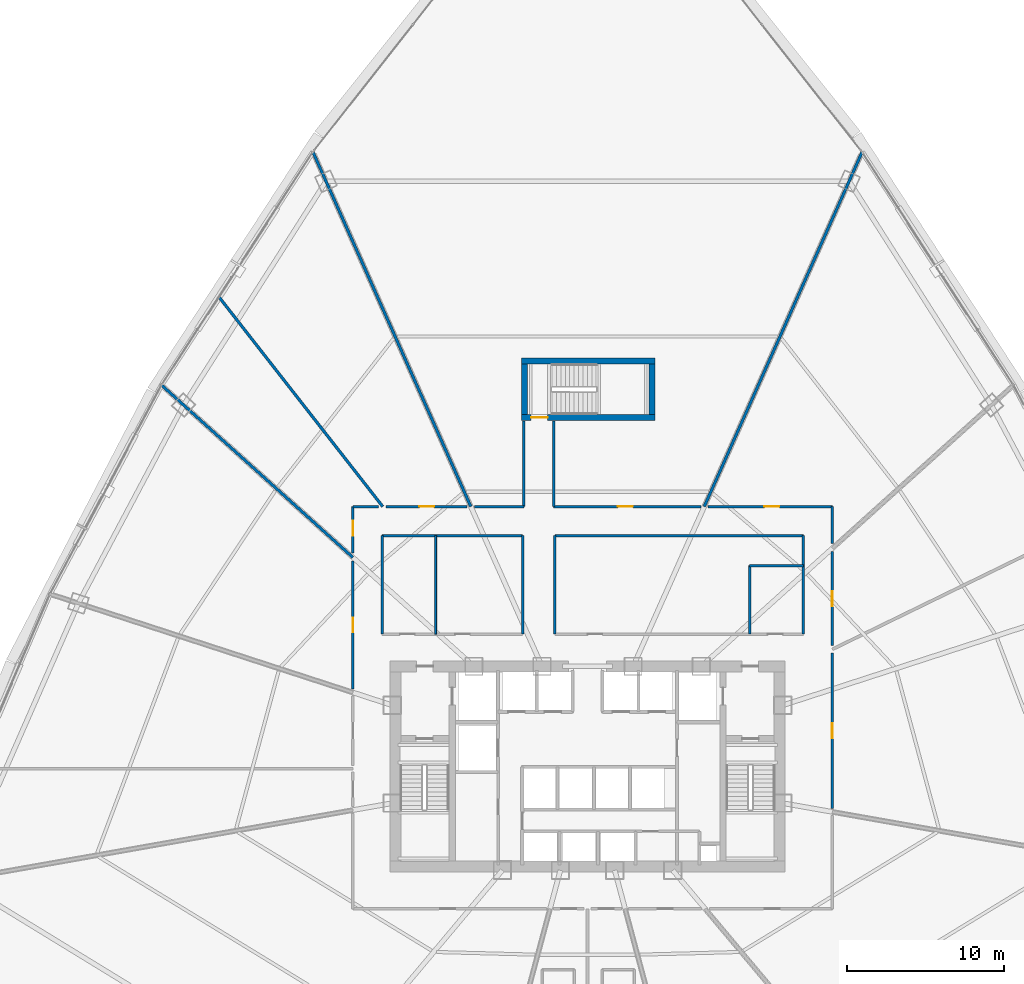
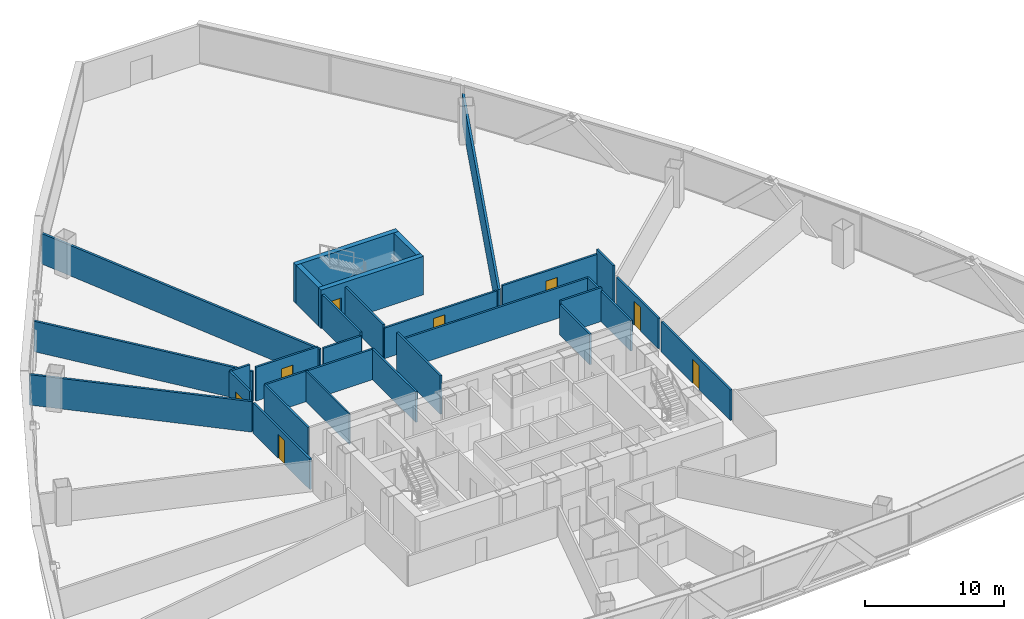
# One storey, part 32 of 38: 29 walls, 8 doors, 8 openings.
"""IFC4 building model written with IfcOpenShell, lengths in metres."""

from ifc_helpers import new_model, si_unit, direction, frame, frame_2d, origin, origin_with_axes, place, context, subcontext, project, spatial, rectangle, extrude, source, transform, mapped, material, layer, layer_set, type_object, element, fill, save


model = new_model("IFC4")

# Units and contexts
model_context = context("Model", 3, precision=1e-05, world=origin(), true_north=direction((0.0, 1.0)))
body_context = subcontext(model_context, "Body", "Model", "MODEL_VIEW")
ifc_project = project(units=[si_unit("LENGTHUNIT", "METRE"), si_unit("AREAUNIT", "SQUARE_METRE"), si_unit("VOLUMEUNIT", "CUBIC_METRE"), si_unit("PLANEANGLEUNIT", "RADIAN"), si_unit("MASSUNIT", "GRAM", prefix="KILO"), si_unit("THERMODYNAMICTEMPERATUREUNIT", "KELVIN"), si_unit("POWERUNIT", "WATT")], contexts=[model_context])

# Site, building, storey
site_placement = place(None, origin())
site = spatial("IfcSite", under=ifc_project, at=site_placement, CompositionType="ELEMENT")
building_placement = place(site_placement, origin())
building = spatial("IfcBuilding", under=site, at=building_placement, Name="Yunzhuo Pagoda Commons", CompositionType="ELEMENT")
storey_placement = place(building_placement, frame((0.0, 0.0, 37.659912109375)))
storey = spatial("IfcBuildingStorey", under=building, at=storey_placement, Name="L09", CompositionType="ELEMENT", Elevation=37.659912109375)

# Walls
ifc_material_1 = material(Name="Gypsum plasterboard on acoustic stud")
ifc_layer_1 = layer(ifc_material_1, 0.159912109375)
ifc_layer_set_1 = layer_set([ifc_layer_1], Name="Gypsum plasterboard on acoustic stud")
wall_type_1 = type_object("IfcWallType", Name="W-COR1 Tower Rated Corridor Wall 160", PredefinedType="PARTITIONING", material=ifc_layer_set_1)
wall_1_placement = place(storey_placement, frame((34.949951171875, 48.5, 0.0), z_axis=(0.0, 0.0, 1.0), x_axis=(1.0, 0.0, 0.0)))
element("IfcWall", 1, at=wall_1_placement, inside=storey, type_object=wall_type_1, Name="L09 interior wall IW-L09-ISLWN", PredefinedType="PARTITIONING", context=body_context, shape_type="SweptSolid", body=[
    extrude(rectangle(XDim=8.929931640625, YDim=0.159912109375, at=frame_2d((4.46484375, 0.0))), origin(), (0.0, 0.0, 1.0), 2.670166015625),
])
for number, where, z_axis, x_axis, name in (
    (2, (34.949951171875, 42.25, 0.0), (0.0, 0.0, 1.0), (0.0, 1.0, 0.0), "L09 interior wall IW-L09-ISLWW"),
    (3, (43.8798828125, 42.25, 0.0), (0.0, 0.0, 1.0), (0.0, 1.0, 0.0), "L09 interior wall IW-L09-ISLWE"),
):
    element("IfcWall", number, at=place(storey_placement, frame(where, z_axis=z_axis, x_axis=x_axis)), inside=storey, type_object=wall_type_1, Name=name, PredefinedType="PARTITIONING", context=body_context, shape_type="SweptSolid", body=[
        extrude(rectangle(XDim=6.25, YDim=0.159912109375, at=frame_2d((3.125, 0.0))), origin(), (0.0, 0.0, 1.0), 2.670166015625),
    ])
wall_2_placement = place(storey_placement, frame((45.919921875, 48.5, 0.0), z_axis=(0.0, 0.0, 1.0), x_axis=(1.0, 0.0, 0.0)))
element("IfcWall", 4, at=wall_2_placement, inside=storey, type_object=wall_type_1, Name="L09 interior wall IW-L09-ISLEN", PredefinedType="PARTITIONING", context=body_context, shape_type="SweptSolid", body=[
    extrude(rectangle(XDim=15.780029296875, YDim=0.159912109375, at=frame_2d((7.89013671875, 0.0))), origin(), (0.0, 0.0, 1.0), 2.670166015625),
])
wall_3_placement = place(storey_placement, frame((45.919921875, 42.25, 0.0), z_axis=(0.0, 0.0, 1.0), x_axis=(0.0, 1.0, 0.0)))
element("IfcWall", 5, at=wall_3_placement, inside=storey, type_object=wall_type_1, Name="L09 interior wall IW-L09-ISLEW", PredefinedType="PARTITIONING", context=body_context, shape_type="SweptSolid", body=[
    extrude(rectangle(XDim=6.25, YDim=0.159912109375, at=frame_2d((3.125, 0.0))), origin(), (0.0, 0.0, 1.0), 3.3701171875),
])
wall_4_placement = place(storey_placement, frame((61.699951171875, 42.25, 0.0), z_axis=(0.0, 0.0, 1.0), x_axis=(0.0, 1.0, 0.0)))
element("IfcWall", 6, at=wall_4_placement, inside=storey, type_object=wall_type_1, Name="L09 interior wall IW-L09-ISLEE", PredefinedType="PARTITIONING", context=body_context, shape_type="SweptSolid", body=[
    extrude(rectangle(XDim=6.25, YDim=0.159912109375, at=frame_2d((3.125, 0.0))), origin(), (0.0, 0.0, 1.0), 2.670166015625),
])
wall_5_placement = place(storey_placement, frame((58.300048828125, 42.25, 0.0), z_axis=(0.0, 0.0, 1.0), x_axis=(0.0, 1.0, 0.0)))
element("IfcWall", 7, at=wall_5_placement, inside=storey, type_object=wall_type_1, Name="L09 interior wall IW-L09-ISL2W", PredefinedType="PARTITIONING", context=body_context, shape_type="SweptSolid", body=[
    extrude(rectangle(XDim=4.35009765625, YDim=0.159912109375, at=frame_2d((2.175048828125, 0.0))), origin(), (0.0, 0.0, 1.0), 2.670166015625),
])
wall_6_placement = place(storey_placement, frame((58.300048828125, 46.60009765625, 0.0), z_axis=(0.0, 0.0, 1.0), x_axis=(1.0, 0.0, 0.0)))
element("IfcWall", 8, at=wall_6_placement, inside=storey, type_object=wall_type_1, Name="L09 interior wall IW-L09-ISL2N", PredefinedType="PARTITIONING", context=body_context, shape_type="SweptSolid", body=[
    extrude(rectangle(XDim=3.39990234375, YDim=0.159912109375, at=frame_2d((1.699951171875, 0.0))), origin(), (0.0, 0.0, 1.0), 2.969970703125),
])

# Wall, opening, door
wall_7_placement = place(storey_placement, frame((33.10009765625, 38.772705078125, 0.0), z_axis=(0.0, 0.0, 1.0), x_axis=(0.0, 1.0, 0.0)))
wall_7 = element("IfcWall", 9, at=wall_7_placement, inside=storey, type_object=wall_type_1, Name="L09 interior wall IW-L09-CWL04", PredefinedType="PARTITIONING", context=body_context, shape_type="SweptSolid", body=[
    extrude(rectangle(XDim=8.12353515625, YDim=0.159912109375, at=frame_2d((4.061767578125, 0.0))), origin(), (0.0, 0.0, 1.0), 2.670166015625),
])
opening_1_placement = place(wall_7_placement, frame((3.5810546875, 0.0, 0.0)))
opening_1 = element("IfcOpeningElement", 10, at=opening_1_placement, cuts=wall_7, Name="Opening D-06", PredefinedType="OPENING", context=body_context, shape_type="SweptSolid", body=[
    extrude(rectangle(XDim=0.949951171875, YDim=2.10009765625, at=frame_2d((0.47509765625, 1.050048828125))), frame((0.0, 0.08984375, 0.0), z_axis=(0.0, -1.0, 0.0), x_axis=(1.0, 0.0, 0.0)), (0.0, 0.0, 1.0), 0.179931640625),
])
ifc_material_2 = material(Name="Galvanized fire-resisting metal leaf")
door_type_1 = type_object("IfcDoorType", Name="D-06 Co-Living Suite Entrance Fire Door 950x2100", OperationType="NOTDEFINED", PredefinedType="DOOR", material=ifc_material_2)
shared_shape_1 = source(origin(), body_context, "Body", "SweptSolid", [
    extrude(rectangle(XDim=0.949951171875, YDim=2.10009765625, at=frame_2d((0.47509765625, 1.050048828125))), frame((0.0, 0.02490234375, 0.0), z_axis=(0.0, -1.0, 0.0), x_axis=(1.0, 0.0, 0.0)), (0.0, 0.0, 1.0), 0.050048828125),
])
door_1_placement = place(opening_1_placement, origin_with_axes())
door_1 = element("IfcDoor", 11, at=door_1_placement, inside=storey, type_object=door_type_1, Name="L09 unit 07 entrance door", OperationType="SINGLE_SWING_LEFT", OverallHeight=2.10009765625, OverallWidth=0.949951171875, PredefinedType="DOOR", context=body_context, shape_type="MappedRepresentation", body=[
    mapped(shared_shape_1, transform((0.0, 0.0, 0.0), scale=1.0)),
])
fill(opening_1, door_1)

wall_8_placement = place(storey_placement, frame((33.10009765625, 47.412109375, 0.0), z_axis=(0.0, 0.0, 1.0), x_axis=(0.0, 1.0, 0.0)))
wall_8 = element("IfcWall", 12, at=wall_8_placement, inside=storey, type_object=wall_type_1, Name="L09 interior wall IW-L09-CWL05", PredefinedType="PARTITIONING", context=body_context, shape_type="SweptSolid", body=[
    extrude(rectangle(XDim=2.93798828125, YDim=0.159912109375, at=frame_2d((1.468994140625, 0.0))), origin(), (0.0, 0.0, 1.0), 3.3701171875),
])
opening_2_placement = place(wall_8_placement, frame((1.075927734375, 0.0, 0.0)))
opening_2 = element("IfcOpeningElement", 13, at=opening_2_placement, cuts=wall_8, Name="Opening D-06", PredefinedType="OPENING", context=body_context, shape_type="SweptSolid", body=[
    extrude(rectangle(XDim=0.949951171875, YDim=2.10009765625, at=frame_2d((0.47509765625, 1.050048828125))), frame((0.0, 0.08984375, 0.0), z_axis=(0.0, -1.0, 0.0), x_axis=(1.0, 0.0, 0.0)), (0.0, 0.0, 1.0), 0.179931640625),
])
door_2_placement = place(opening_2_placement, origin_with_axes())
door_2 = element("IfcDoor", 14, at=door_2_placement, inside=storey, type_object=door_type_1, Name="L09 unit 06 entrance door", OperationType="SINGLE_SWING_RIGHT", OverallHeight=2.10009765625, OverallWidth=0.949951171875, PredefinedType="DOOR", context=body_context, shape_type="MappedRepresentation", body=[
    mapped(shared_shape_1, transform((0.0, 0.0, 0.0), scale=1.0)),
])
fill(opening_2, door_2)

# Wall
wall_9_placement = place(storey_placement, frame((33.10009765625, 50.35009765625, 0.0), z_axis=(0.0, 0.0, 1.0), x_axis=(1.0, 0.0, 0.0)))
element("IfcWall", 15, at=wall_9_placement, inside=storey, type_object=wall_type_1, Name="L09 interior wall IW-L09-CWL06", PredefinedType="PARTITIONING", context=body_context, shape_type="SweptSolid", body=[
    extrude(rectangle(XDim=1.6123046875, YDim=0.159912109375, at=frame_2d((0.80615234375, 0.0))), origin(), (0.0, 0.0, 1.0), 3.3701171875),
])

# Wall, opening, door
wall_10_placement = place(storey_placement, frame((35.21142578125, 50.35009765625, 0.0), z_axis=(0.0, 0.0, 1.0), x_axis=(1.0, 0.0, 0.0)))
wall_10 = element("IfcWall", 16, at=wall_10_placement, inside=storey, type_object=wall_type_1, Name="L09 interior wall IW-L09-CWL07", PredefinedType="PARTITIONING", context=body_context, shape_type="SweptSolid", body=[
    extrude(rectangle(XDim=5.134765625, YDim=0.159912109375, at=frame_2d((2.5673828125, 0.0))), origin(), (0.0, 0.0, 1.0), 2.969970703125),
])
opening_3_placement = place(wall_10_placement, frame((2.102783203125, 0.0, 0.0)))
opening_3 = element("IfcOpeningElement", 17, at=opening_3_placement, cuts=wall_10, Name="Opening D-06", PredefinedType="OPENING", context=body_context, shape_type="SweptSolid", body=[
    extrude(rectangle(XDim=0.949951171875, YDim=2.10009765625, at=frame_2d((0.47509765625, 1.050048828125))), frame((0.0, 0.08984375, 0.0), z_axis=(0.0, -1.0, 0.0), x_axis=(1.0, 0.0, 0.0)), (0.0, 0.0, 1.0), 0.179931640625),
])
door_3_placement = place(opening_3_placement, origin_with_axes())
door_3 = element("IfcDoor", 18, at=door_3_placement, inside=storey, type_object=door_type_1, Name="L09 unit 05 entrance door", OperationType="SINGLE_SWING_LEFT", OverallHeight=2.10009765625, OverallWidth=0.949951171875, PredefinedType="DOOR", context=body_context, shape_type="MappedRepresentation", body=[
    mapped(shared_shape_1, transform((0.0, 0.0, 0.0), scale=1.0)),
])
fill(opening_3, door_3)

# Walls
wall_11_placement = place(storey_placement, frame((40.806640625, 50.35009765625, 0.0), z_axis=(0.0, 0.0, 1.0), x_axis=(1.0, 0.0, 0.0)))
element("IfcWall", 19, at=wall_11_placement, inside=storey, type_object=wall_type_1, Name="L09 interior wall IW-L09-CWL08", PredefinedType="PARTITIONING", context=body_context, shape_type="SweptSolid", body=[
    extrude(rectangle(XDim=3.143310546875, YDim=0.159912109375, at=frame_2d((1.57177734375, 0.0))), origin(), (0.0, 0.0, 1.0), 2.670166015625),
])
for number, where, z_axis, x_axis, name in (
    (20, (43.949951171875, 50.35009765625, 0.0), (0.0, 0.0, 1.0), (0.0, 1.0, 0.0), "L09 interior wall IW-L09-CWL09"),
    (21, (45.85009765625, 55.780029296875, 0.0), (0.0, 0.0, 1.0), (0.0, -1.0, 0.0), "L09 interior wall IW-L09-CWL10"),
):
    element("IfcWall", number, at=place(storey_placement, frame(where, z_axis=z_axis, x_axis=x_axis)), inside=storey, type_object=wall_type_1, Name=name, PredefinedType="PARTITIONING", context=body_context, shape_type="SweptSolid", body=[
        extrude(rectangle(XDim=5.429931640625, YDim=0.159912109375, at=frame_2d((2.71484375, 0.0))), origin(), (0.0, 0.0, 1.0), 2.969970703125),
    ])

# Wall, opening, door
wall_12_placement = place(storey_placement, frame((45.85009765625, 50.35009765625, 0.0), z_axis=(0.0, 0.0, 1.0), x_axis=(1.0, 0.0, 0.0)))
wall_12 = element("IfcWall", 22, at=wall_12_placement, inside=storey, type_object=wall_type_1, Name="L09 interior wall IW-L09-CWL11", PredefinedType="PARTITIONING", context=body_context, shape_type="SweptSolid", body=[
    extrude(rectangle(XDim=9.34326171875, YDim=0.159912109375, at=frame_2d((4.671630859375, 0.0))), origin(), (0.0, 0.0, 1.0), 2.670166015625),
])
opening_4_placement = place(wall_12_placement, frame((4.076416015625, 0.0, 0.0)))
opening_4 = element("IfcOpeningElement", 23, at=opening_4_placement, cuts=wall_12, Name="Opening D-06", PredefinedType="OPENING", context=body_context, shape_type="SweptSolid", body=[
    extrude(rectangle(XDim=0.949951171875, YDim=2.10009765625, at=frame_2d((0.47509765625, 1.050048828125))), frame((0.0, 0.08984375, 0.0), z_axis=(0.0, -1.0, 0.0), x_axis=(1.0, 0.0, 0.0)), (0.0, 0.0, 1.0), 0.179931640625),
])
door_4_placement = place(opening_4_placement, origin_with_axes())
door_4 = element("IfcDoor", 24, at=door_4_placement, inside=storey, type_object=door_type_1, Name="L09 unit 04 entrance door", OperationType="SINGLE_SWING_RIGHT", OverallHeight=2.10009765625, OverallWidth=0.949951171875, PredefinedType="DOOR", context=body_context, shape_type="MappedRepresentation", body=[
    mapped(shared_shape_1, transform((0.0, 0.0, 0.0), scale=1.0)),
])
fill(opening_4, door_4)

wall_13_placement = place(storey_placement, frame((55.65380859375, 50.35009765625, 0.0), z_axis=(0.0, 0.0, 1.0), x_axis=(1.0, 0.0, 0.0)))
wall_13 = element("IfcWall", 25, at=wall_13_placement, inside=storey, type_object=wall_type_1, Name="L09 interior wall IW-L09-CWL12", PredefinedType="PARTITIONING", context=body_context, shape_type="SweptSolid", body=[
    extrude(rectangle(XDim=7.896240234375, YDim=0.159912109375, at=frame_2d((3.9482421875, 0.0))), origin(), (0.0, 0.0, 1.0), 2.969970703125),
])
opening_5_placement = place(wall_13_placement, frame((3.582763671875, 0.0, 0.0)))
opening_5 = element("IfcOpeningElement", 26, at=opening_5_placement, cuts=wall_13, Name="Opening D-06", PredefinedType="OPENING", context=body_context, shape_type="SweptSolid", body=[
    extrude(rectangle(XDim=0.949951171875, YDim=2.10009765625, at=frame_2d((0.47509765625, 1.050048828125))), frame((0.0, 0.08984375, 0.0), z_axis=(0.0, -1.0, 0.0), x_axis=(1.0, 0.0, 0.0)), (0.0, 0.0, 1.0), 0.179931640625),
])
door_5_placement = place(opening_5_placement, origin_with_axes())
door_5 = element("IfcDoor", 27, at=door_5_placement, inside=storey, type_object=door_type_1, Name="L09 unit 03 entrance door", OperationType="SINGLE_SWING_LEFT", OverallHeight=2.10009765625, OverallWidth=0.949951171875, PredefinedType="DOOR", context=body_context, shape_type="MappedRepresentation", body=[
    mapped(shared_shape_1, transform((0.0, 0.0, 0.0), scale=1.0)),
])
fill(opening_5, door_5)

# Wall
wall_14_placement = place(storey_placement, frame((63.550048828125, 50.35009765625, 0.0), z_axis=(0.0, 0.0, 1.0), x_axis=(0.0, -1.0, 0.0)))
element("IfcWall", 28, at=wall_14_placement, inside=storey, type_object=wall_type_1, Name="L09 interior wall IW-L09-CWL13", PredefinedType="PARTITIONING", context=body_context, shape_type="SweptSolid", body=[
    extrude(rectangle(XDim=2.352783203125, YDim=0.159912109375, at=frame_2d((1.17626953125, 0.0))), origin(), (0.0, 0.0, 1.0), 3.3701171875),
])

# Wall, opening, door
wall_15_placement = place(storey_placement, frame((63.550048828125, 47.481689453125, 0.0), z_axis=(0.0, 0.0, 1.0), x_axis=(0.0, -1.0, 0.0)))
wall_15 = element("IfcWall", 29, at=wall_15_placement, inside=storey, type_object=wall_type_1, Name="L09 interior wall IW-L09-CWL14", PredefinedType="PARTITIONING", context=body_context, shape_type="SweptSolid", body=[
    extrude(rectangle(XDim=5.95263671875, YDim=0.159912109375, at=frame_2d((2.976318359375, 0.0))), origin(), (0.0, 0.0, 1.0), 2.670166015625),
])
opening_6_placement = place(wall_15_placement, frame((2.513916015625, 0.0, 0.0)))
opening_6 = element("IfcOpeningElement", 30, at=opening_6_placement, cuts=wall_15, Name="Opening D-06", PredefinedType="OPENING", context=body_context, shape_type="SweptSolid", body=[
    extrude(rectangle(XDim=0.949951171875, YDim=2.10009765625, at=frame_2d((0.47509765625, 1.050048828125))), frame((0.0, 0.08984375, 0.0), z_axis=(0.0, -1.0, 0.0), x_axis=(1.0, 0.0, 0.0)), (0.0, 0.0, 1.0), 0.179931640625),
])
door_6_placement = place(opening_6_placement, origin_with_axes())
door_6 = element("IfcDoor", 31, at=door_6_placement, inside=storey, type_object=door_type_1, Name="L09 unit 02 entrance door", OperationType="SINGLE_SWING_RIGHT", OverallHeight=2.10009765625, OverallWidth=0.949951171875, PredefinedType="DOOR", context=body_context, shape_type="MappedRepresentation", body=[
    mapped(shared_shape_1, transform((0.0, 0.0, 0.0), scale=1.0)),
])
fill(opening_6, door_6)

wall_16_placement = place(storey_placement, frame((63.550048828125, 41.064453125, 0.0), z_axis=(0.0, 0.0, 1.0), x_axis=(0.0, -1.0, 0.0)))
wall_16 = element("IfcWall", 32, at=wall_16_placement, inside=storey, type_object=wall_type_1, Name="L09 interior wall IW-L09-CWL15", PredefinedType="PARTITIONING", context=body_context, shape_type="SweptSolid", body=[
    extrude(rectangle(XDim=9.886474609375, YDim=0.159912109375, at=frame_2d((4.943359375, 0.0))), origin(), (0.0, 0.0, 1.0), 2.670166015625),
])
opening_7_placement = place(wall_16_placement, frame((4.46826171875, 0.0, 0.0)))
opening_7 = element("IfcOpeningElement", 33, at=opening_7_placement, cuts=wall_16, Name="Opening D-06", PredefinedType="OPENING", context=body_context, shape_type="SweptSolid", body=[
    extrude(rectangle(XDim=0.949951171875, YDim=2.10009765625, at=frame_2d((0.47509765625, 1.050048828125))), frame((0.0, 0.08984375, 0.0), z_axis=(0.0, -1.0, 0.0), x_axis=(1.0, 0.0, 0.0)), (0.0, 0.0, 1.0), 0.179931640625),
])
door_7_placement = place(opening_7_placement, origin_with_axes())
door_7 = element("IfcDoor", 34, at=door_7_placement, inside=storey, type_object=door_type_1, Name="L09 Shared Resident Kitchen and Pantry door", OperationType="SINGLE_SWING_LEFT", OverallHeight=2.10009765625, OverallWidth=0.949951171875, PredefinedType="DOOR", context=body_context, shape_type="MappedRepresentation", body=[
    mapped(shared_shape_1, transform((0.0, 0.0, 0.0), scale=1.0)),
])
fill(opening_7, door_7)

# Walls
ifc_layer_2 = layer(ifc_material_1, 0.1201171875)
ifc_layer_set_2 = layer_set([ifc_layer_2], Name="Gypsum plasterboard on acoustic stud")
wall_type_2 = type_object("IfcWallType", Name="W-PRT1 Suite & Bathroom Partition 120", PredefinedType="PARTITIONING", material=ifc_layer_set_2)
wall_17_placement = place(storey_placement, frame((38.35009765625, 42.25, 0.0), z_axis=(0.0, 0.0, 1.0), x_axis=(0.0, 1.0, 0.0)))
element("IfcWall", 35, at=wall_17_placement, inside=storey, type_object=wall_type_2, Name="L09 interior wall IW-L09-ISLW1", PredefinedType="PARTITIONING", context=body_context, shape_type="SweptSolid", body=[
    extrude(rectangle(XDim=6.25, YDim=0.1201171875, at=frame_2d((3.125, 0.0))), origin(), (0.0, 0.0, 1.0), 2.670166015625),
])
ifc_layer_3 = layer(ifc_material_1, 0.179931640625)
ifc_layer_set_3 = layer_set([ifc_layer_3], Name="Gypsum plasterboard on acoustic stud")
wall_type_3 = type_object("IfcWallType", Name="W-PRT2 Acoustic Unit Demising Wall 180", PredefinedType="PARTITIONING", material=ifc_layer_set_3)
for number, where, z_axis, x_axis, name in (
    (36, (55.4130859375, 50.35009765625, 0.0), (0.0, 0.0, 1.0), (0.406741199867, 0.913543428815, 0.0), "L09 interior wall IW-L09-RAD03"),
    (37, (40.5869140625, 50.35009765625, 0.0), (0.0, 0.0, 1.0), (-0.406741199867, 0.913543428815, 0.0), "L09 interior wall IW-L09-RAD04"),
):
    element("IfcWall", number, at=place(storey_placement, frame(where, z_axis=z_axis, x_axis=x_axis)), inside=storey, type_object=wall_type_3, Name=name, PredefinedType="PARTITIONING", context=body_context, shape_type="SweptSolid", body=[
        extrude(rectangle(XDim=24.650390625, YDim=0.179931640625, at=frame_2d((12.3251953125, 0.0))), origin(), (0.0, 0.0, 1.0), 2.670166015625),
    ])
wall_18_placement = place(storey_placement, frame((34.99169921875, 50.35009765625, 0.0), z_axis=(0.0, 0.0, 1.0), x_axis=(-0.615670109541, 0.788004007742, 0.0)))
element("IfcWall", 38, at=wall_18_placement, inside=storey, type_object=wall_type_3, Name="L09 interior wall IW-L09-RAD05", PredefinedType="PARTITIONING", context=body_context, shape_type="SweptSolid", body=[
    extrude(rectangle(XDim=16.90234375, YDim=0.179931640625, at=frame_2d((8.451171875, 0.0))), origin(), (0.0, 0.0, 1.0), 2.670166015625),
])
wall_19_placement = place(storey_placement, frame((33.10009765625, 47.115966796875, 0.0), z_axis=(0.0, 0.0, 1.0), x_axis=(-0.74314347906, 0.669132101704, 0.0)))
element("IfcWall", 39, at=wall_19_placement, inside=storey, type_object=wall_type_3, Name="L09 interior wall IW-L09-RAD06", PredefinedType="PARTITIONING", context=body_context, shape_type="SweptSolid", body=[
    extrude(rectangle(XDim=16.358154296875, YDim=0.179931640625, at=frame_2d((8.17919921875, 0.0))), origin(), (0.0, 0.0, 1.0), 2.670166015625),
])
ifc_material_3 = material(Name="Concrete C60", Category="concrete")
ifc_layer_4 = layer(ifc_material_3, 0.39990234375)
ifc_layer_set_4 = layer_set([ifc_layer_4], Name="Concrete C60")
wall_type_4 = type_object("IfcWallType", Name="W-S01 Internal Core Shear Web 400", PredefinedType="SHEAR", material=ifc_layer_set_4)
wall_20_placement = place(storey_placement, frame((43.800048828125, 59.60009765625, 0.0), z_axis=(0.0, 0.0, 1.0), x_axis=(1.0, 0.0, 0.0)))
element("IfcWall", 40, at=wall_20_placement, inside=storey, type_object=wall_type_4, Name="L09 ST3 structural stair wall N", PredefinedType="SHEAR", context=body_context, shape_type="SweptSolid", body=[
    extrude(rectangle(XDim=8.5, YDim=0.39990234375, at=frame_2d((4.25, 0.0))), origin(), (0.0, 0.0, 1.0), 3.3701171875),
])

# Wall, opening, door
wall_21_placement = place(storey_placement, frame((43.800048828125, 56.0, 0.0), z_axis=(0.0, 0.0, 1.0), x_axis=(1.0, 0.0, 0.0)))
wall_21 = element("IfcWall", 41, at=wall_21_placement, inside=storey, type_object=wall_type_4, Name="L09 ST3 structural stair wall S", PredefinedType="SHEAR", context=body_context, shape_type="SweptSolid", body=[
    extrude(rectangle(XDim=8.5, YDim=0.39990234375, at=frame_2d((4.25, 0.0))), origin(), (0.0, 0.0, 1.0), 3.3701171875),
])
opening_8_placement = place(wall_21_placement, frame((0.6201171875, 0.0, 0.0)))
opening_8 = element("IfcOpeningElement", 42, at=opening_8_placement, cuts=wall_21, Name="Opening D-01", PredefinedType="OPENING", context=body_context, shape_type="SweptSolid", body=[
    extrude(rectangle(XDim=1.050048828125, YDim=2.10009765625, at=frame_2d((0.52490234375, 1.050048828125))), frame((0.0, 0.2099609375, 0.0), z_axis=(0.0, -1.0, 0.0), x_axis=(1.0, 0.0, 0.0)), (0.0, 0.0, 1.0), 0.419921875),
])
door_type_2 = type_object("IfcDoorType", Name="D-01 Smokeproof Stair Fire Door 1050x2100", OperationType="NOTDEFINED", PredefinedType="DOOR", material=ifc_material_2)
shared_shape_2 = source(origin(), body_context, "Body", "SweptSolid", [
    extrude(rectangle(XDim=1.050048828125, YDim=2.10009765625, at=frame_2d((0.52490234375, 1.050048828125))), frame((0.0, 0.02490234375, 0.0), z_axis=(0.0, -1.0, 0.0), x_axis=(1.0, 0.0, 0.0)), (0.0, 0.0, 1.0), 0.050048828125),
])
door_8_placement = place(opening_8_placement, frame((1.050048828125, 0.0, 0.0), z_axis=(0.0, 0.0, 1.0), x_axis=(-1.0, 0.0, 0.0)))
door_8 = element("IfcDoor", 43, at=door_8_placement, inside=storey, type_object=door_type_2, Name="L09 Stair ST3 fire door", OperationType="SINGLE_SWING_LEFT", OverallHeight=2.10009765625, OverallWidth=1.050048828125, PredefinedType="DOOR", context=body_context, shape_type="MappedRepresentation", body=[
    mapped(shared_shape_2, transform((0.0, 0.0, 0.0), scale=1.0)),
])
fill(opening_8, door_8)

# Walls
for number, where, z_axis, x_axis, name in (
    (44, (44.0, 56.199951171875, 0.0), (0.0, 0.0, 1.0), (0.0, 1.0, 0.0), "L09 ST3 structural stair wall W"),
    (45, (52.10009765625, 56.199951171875, 0.0), (0.0, 0.0, 1.0), (0.0, 1.0, 0.0), "L09 ST3 structural stair wall E"),
):
    element("IfcWall", number, at=place(storey_placement, frame(where, z_axis=z_axis, x_axis=x_axis)), inside=storey, type_object=wall_type_4, Name=name, PredefinedType="SHEAR", context=body_context, shape_type="SweptSolid", body=[
        extrude(rectangle(XDim=3.199951171875, YDim=0.39990234375, at=frame_2d((1.60009765625, 0.0))), origin(), (0.0, 0.0, 1.0), 3.3701171875),
    ])

save(model, "model.ifc")
